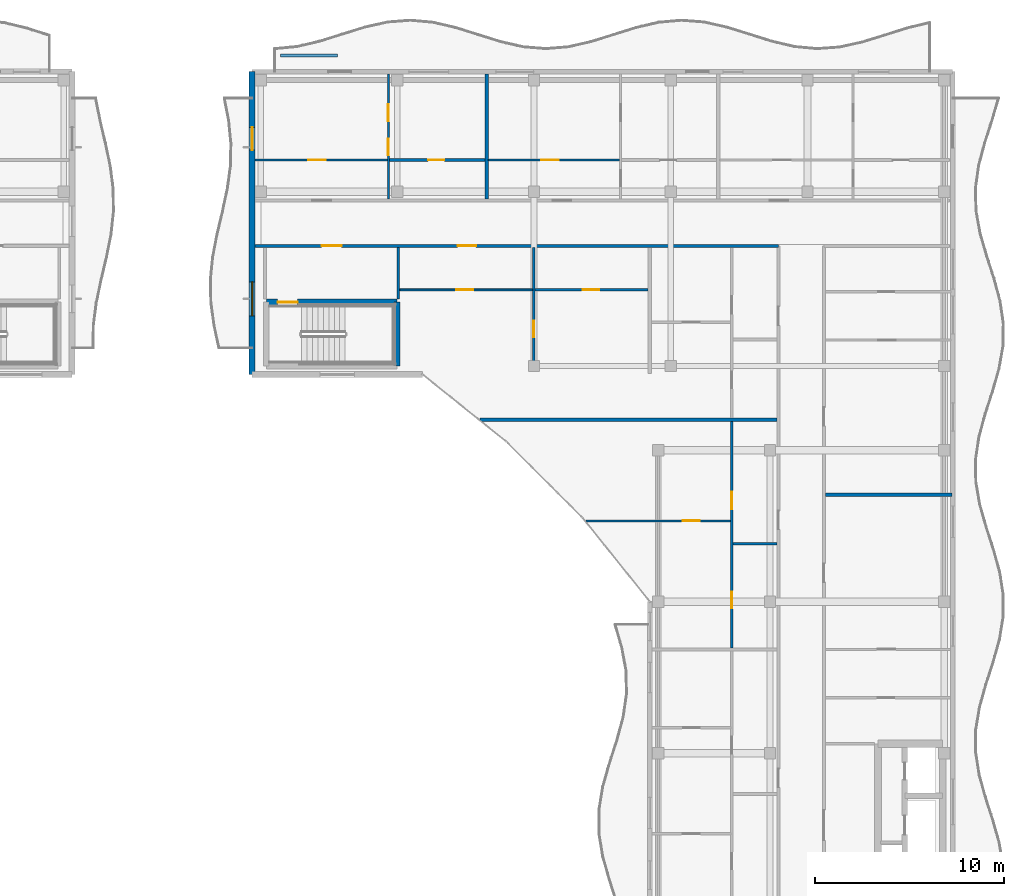
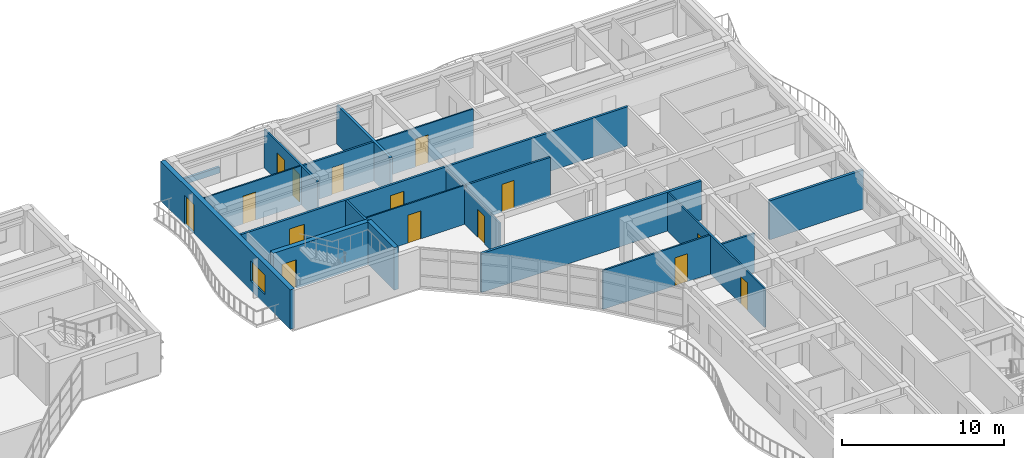
# One storey, part 45 of 76: 19 walls, 15 doors, 1 window, 16 openings.
"""IFC4 building model written with IfcOpenShell, lengths in metres."""

from ifc_helpers import new_model, si_unit, direction, frame, frame_2d, origin, place, context, subcontext, project, spatial, rectangle, extrude, material, layer, layer_set, type_object, element, fill, save


model = new_model("IFC4")

# Units and contexts
model_context = context("Model", 3, precision=1e-05, world=origin(), true_north=direction((0.0, 1.0)))
body_context = subcontext(model_context, "Body", "Model", "MODEL_VIEW")
ifc_project = project(units=[si_unit("LENGTHUNIT", "METRE"), si_unit("AREAUNIT", "SQUARE_METRE"), si_unit("VOLUMEUNIT", "CUBIC_METRE"), si_unit("PLANEANGLEUNIT", "RADIAN"), si_unit("MASSUNIT", "GRAM", prefix="KILO")], contexts=[model_context])

# Site, building, storey
site_placement = place(None, origin())
site = spatial("IfcSite", under=ifc_project, at=site_placement, CompositionType="ELEMENT")
building_placement = place(site_placement, origin())
building = spatial("IfcBuilding", under=site, at=building_placement, Name="Keldmere Railside Commons", CompositionType="ELEMENT")
storey_placement = place(building_placement, frame((0.0, 0.0, 13.760009765625)))
storey = spatial("IfcBuildingStorey", under=building, at=storey_placement, Name="L04", CompositionType="ELEMENT", Elevation=13.760009765625)

# Walls
ifc_material_1 = material(Name="Acoustic Gypsum Board Partition", Category="gypsum")
ifc_layer_1 = layer(ifc_material_1, 0.179931640625, Name="Acoustic Demising Partition 180")
ifc_layer_set_1 = layer_set([ifc_layer_1], Name="Acoustic Gypsum Board Partition")
wall_type_1 = type_object("IfcWallType", Name="Acoustic Demising Partition 180", PredefinedType="PARTITIONING", material=ifc_layer_set_1)
wall_1_placement = place(storey_placement, frame((159.030517578125, 97.6201171875, 0.0), z_axis=(0.0, 0.0, 1.0), x_axis=(1.0, 0.0, 0.0)))
element("IfcWall", 1, at=wall_1_placement, inside=storey, type_object=wall_type_1, Name="IW-1 IW-L04-1559", PredefinedType="PARTITIONING", context=body_context, shape_type="SweptSolid", body=[
    extrude(rectangle(XDim=15.689453125, YDim=0.179931640625, at=frame_2d((7.8447265625, 0.0))), origin(), (0.0, 0.0, 1.0), 2.93505859375),
])
wall_2_placement = place(storey_placement, frame((159.389892578125, 109.280029296875, 0.0), z_axis=(0.0, 0.0, 1.0), x_axis=(0.0, 1.0, 0.0)))
element("IfcWall", 2, at=wall_2_placement, inside=storey, type_object=wall_type_1, Name="IW-1 IW-L04-1574", PredefinedType="PARTITIONING", context=body_context, shape_type="SweptSolid", body=[
    extrude(rectangle(XDim=6.599853515625, YDim=0.179931640625, at=frame_2d((3.2998046875, 0.0))), origin(), (0.0, 0.0, 1.0), 2.93505859375),
])
wall_3_placement = place(storey_placement, frame((177.280029296875, 93.64990234375, 0.0), z_axis=(0.0, 0.0, 1.0), x_axis=(1.0, 0.0, 0.0)))
element("IfcWall", 3, at=wall_3_placement, inside=storey, type_object=wall_type_1, Name="IW-1 IW-L04-1588", PredefinedType="PARTITIONING", context=body_context, shape_type="SweptSolid", body=[
    extrude(rectangle(XDim=6.679931640625, YDim=0.179931640625, at=frame_2d((3.33984375, 0.0))), origin(), (0.0, 0.0, 1.0), 2.93505859375),
])

# Wall, openings, doors
ifc_layer_2 = layer(ifc_material_1, 0.1201171875, Name="Apartment Interior Partition 120")
ifc_layer_set_2 = layer_set([ifc_layer_2], Name="Acoustic Gypsum Board Partition")
wall_type_2 = type_object("IfcWallType", Name="Apartment Interior Partition 120", PredefinedType="PARTITIONING", material=ifc_layer_set_2)
wall_4_placement = place(storey_placement, frame((172.340087890625, 85.570068359375, 0.0), z_axis=(0.0, 0.0, 1.0), x_axis=(0.0, 1.0, 0.0)))
wall_4 = element("IfcWall", 4, at=wall_4_placement, inside=storey, type_object=wall_type_2, Name="IW-4 IW-L04-1568", PredefinedType="PARTITIONING", context=body_context, shape_type="SweptSolid", body=[
    extrude(rectangle(XDim=11.9599609375, YDim=0.1201171875, at=frame_2d((5.97998046875, 0.0))), origin(), (0.0, 0.0, 1.0), 2.93505859375),
])
opening_1_placement = place(wall_4_placement, frame((2.090087890625, 0.0, 0.0)))
opening_1 = element("IfcOpeningElement", 5, at=opening_1_placement, cuts=wall_4, Name="Opening ID-04", PredefinedType="OPENING", context=body_context, shape_type="SweptSolid", body=[
    extrude(rectangle(XDim=0.860107421875, YDim=2.10009765625, at=frame_2d((0.43017578125, 1.050048828125))), frame((0.0, 0.070068359375, 0.0), z_axis=(0.0, -1.0, 0.0), x_axis=(1.0, 0.0, 0.0)), (0.0, 0.0, 1.0), 0.14013671875),
])
opening_2_placement = place(wall_4_placement, frame((7.308837890625, 0.0, 0.0)))
opening_2 = element("IfcOpeningElement", 6, at=opening_2_placement, cuts=wall_4, Name="Opening ID-03", PredefinedType="OPENING", context=body_context, shape_type="SweptSolid", body=[
    extrude(rectangle(XDim=0.919921875, YDim=2.10009765625, at=frame_2d((0.4599609375, 1.050048828125))), frame((0.0, 0.070068359375, 0.0), z_axis=(0.0, -1.0, 0.0), x_axis=(1.0, 0.0, 0.0)), (0.0, 0.0, 1.0), 0.14013671875),
])
ifc_material_2 = material(Name="Engineered Oak Timber", Category="wood")
door_type_1 = type_object("IfcDoorType", Name="Apartment Bathroom Door 860x2100", OperationType="NOTDEFINED", PredefinedType="DOOR", material=ifc_material_2)
door_1_placement = place(opening_1_placement, origin())
door_1 = element("IfcDoor", 7, at=door_1_placement, inside=storey, type_object=door_type_1, Name="ID-04 IDR-L04-1411", OperationType="SINGLE_SWING_LEFT", OverallHeight=2.10009765625, OverallWidth=0.860107421875, PredefinedType="DOOR", context=body_context, shape_type="SweptSolid", body=[
    extrude(rectangle(XDim=0.860107421875, YDim=2.10009765625, at=frame_2d((0.43017578125, 1.050048828125))), frame((0.0, 0.02490234375, 0.0), z_axis=(0.0, -1.0, 0.0), x_axis=(1.0, 0.0, 0.0)), (0.0, 0.0, 1.0), 0.050048828125),
])
fill(opening_1, door_1)
door_type_2 = type_object("IfcDoorType", Name="Kitchen Pocket-Frame Swing Door 920x2100", OperationType="NOTDEFINED", PredefinedType="DOOR", material=ifc_material_2)
door_2_placement = place(opening_2_placement, origin())
door_2 = element("IfcDoor", 8, at=door_2_placement, inside=storey, type_object=door_type_2, Name="ID-03 IDR-L04-1412", OperationType="SINGLE_SWING_RIGHT", OverallHeight=2.10009765625, OverallWidth=0.919921875, PredefinedType="DOOR", context=body_context, shape_type="SweptSolid", body=[
    extrude(rectangle(XDim=0.919921875, YDim=2.10009765625, at=frame_2d((0.4599609375, 1.050048828125))), frame((0.0, 0.02490234375, 0.0), z_axis=(0.0, -1.0, 0.0), x_axis=(1.0, 0.0, 0.0)), (0.0, 0.0, 1.0), 0.050048828125),
])
fill(opening_2, door_2)

# Wall, opening, door
wall_5_placement = place(storey_placement, frame((164.62548828125, 92.27001953125, 0.0), z_axis=(0.0, 0.0, 1.0), x_axis=(1.0, 0.0, 0.0)))
wall_5 = element("IfcWall", 9, at=wall_5_placement, inside=storey, type_object=wall_type_2, Name="IW-4 IW-L04-1570", PredefinedType="PARTITIONING", context=body_context, shape_type="SweptSolid", body=[
    extrude(rectangle(XDim=7.654541015625, YDim=0.1201171875, at=frame_2d((3.8271484375, 0.0))), origin(), (0.0, 0.0, 1.0), 2.93505859375),
])
opening_3_placement = place(wall_5_placement, frame((5.1240234375, 0.0, 0.0)))
opening_3 = element("IfcOpeningElement", 10, at=opening_3_placement, cuts=wall_5, Name="Opening ID-01", PredefinedType="OPENING", context=body_context, shape_type="SweptSolid", body=[
    extrude(rectangle(XDim=0.89990234375, YDim=2.10009765625, at=frame_2d((0.449951171875, 1.050048828125))), frame((0.0, 0.070068359375, 0.0), z_axis=(0.0, -1.0, 0.0), x_axis=(1.0, 0.0, 0.0)), (0.0, 0.0, 1.0), 0.14013671875),
])
door_type_3 = type_object("IfcDoorType", Name="Primary Bedroom Door 900x2100", OperationType="NOTDEFINED", PredefinedType="DOOR", material=ifc_material_2)
door_3_placement = place(opening_3_placement, origin())
door_3 = element("IfcDoor", 11, at=door_3_placement, inside=storey, type_object=door_type_3, Name="ID-01 IDR-L04-1414", OperationType="SINGLE_SWING_RIGHT", OverallHeight=2.10009765625, OverallWidth=0.89990234375, PredefinedType="DOOR", context=body_context, shape_type="SweptSolid", body=[
    extrude(rectangle(XDim=0.89990234375, YDim=2.10009765625, at=frame_2d((0.449951171875, 1.050048828125))), frame((0.0, 0.02490234375, 0.0), z_axis=(0.0, -1.0, 0.0), x_axis=(1.0, 0.0, 0.0)), (0.0, 0.0, 1.0), 0.050048828125),
])
fill(opening_3, door_3)

# Wall, openings, doors
wall_6_placement = place(storey_placement, frame((154.199951171875, 109.280029296875, 0.0), z_axis=(0.0, 0.0, 1.0), x_axis=(0.0, 1.0, 0.0)))
wall_6 = element("IfcWall", 12, at=wall_6_placement, inside=storey, type_object=wall_type_2, Name="IW-4 IW-L04-1576", PredefinedType="PARTITIONING", context=body_context, shape_type="SweptSolid", body=[
    extrude(rectangle(XDim=6.599853515625, YDim=0.1201171875, at=frame_2d((3.2998046875, 0.0))), origin(), (0.0, 0.0, 1.0), 2.93505859375),
])
opening_4_placement = place(wall_6_placement, frame((2.305908203125, 0.0, 0.0)))
opening_4 = element("IfcOpeningElement", 13, at=opening_4_placement, cuts=wall_6, Name="Opening ID-04", PredefinedType="OPENING", context=body_context, shape_type="SweptSolid", body=[
    extrude(rectangle(XDim=0.860107421875, YDim=2.10009765625, at=frame_2d((0.43017578125, 1.050048828125))), frame((0.0, 0.070068359375, 0.0), z_axis=(0.0, -1.0, 0.0), x_axis=(1.0, 0.0, 0.0)), (0.0, 0.0, 1.0), 0.14013671875),
])
opening_5_placement = place(wall_6_placement, frame((4.097412109375, 0.0, 0.0)))
opening_5 = element("IfcOpeningElement", 14, at=opening_5_placement, cuts=wall_6, Name="Opening ID-01", PredefinedType="OPENING", context=body_context, shape_type="SweptSolid", body=[
    extrude(rectangle(XDim=0.89990234375, YDim=2.10009765625, at=frame_2d((0.449951171875, 1.050048828125))), frame((0.0, 0.070068359375, 0.0), z_axis=(0.0, -1.0, 0.0), x_axis=(1.0, 0.0, 0.0)), (0.0, 0.0, 1.0), 0.14013671875),
])
door_4_placement = place(opening_4_placement, origin())
door_4 = element("IfcDoor", 15, at=door_4_placement, inside=storey, type_object=door_type_1, Name="ID-04 IDR-L04-1421", OperationType="SINGLE_SWING_LEFT", OverallHeight=2.10009765625, OverallWidth=0.860107421875, PredefinedType="DOOR", context=body_context, shape_type="SweptSolid", body=[
    extrude(rectangle(XDim=0.860107421875, YDim=2.10009765625, at=frame_2d((0.43017578125, 1.050048828125))), frame((0.0, 0.02490234375, 0.0), z_axis=(0.0, -1.0, 0.0), x_axis=(1.0, 0.0, 0.0)), (0.0, 0.0, 1.0), 0.050048828125),
])
fill(opening_4, door_4)
door_5_placement = place(opening_5_placement, origin())
door_5 = element("IfcDoor", 16, at=door_5_placement, inside=storey, type_object=door_type_3, Name="ID-01 IDR-L04-1422", OperationType="SINGLE_SWING_RIGHT", OverallHeight=2.10009765625, OverallWidth=0.89990234375, PredefinedType="DOOR", context=body_context, shape_type="SweptSolid", body=[
    extrude(rectangle(XDim=0.89990234375, YDim=2.10009765625, at=frame_2d((0.449951171875, 1.050048828125))), frame((0.0, 0.02490234375, 0.0), z_axis=(0.0, -1.0, 0.0), x_axis=(1.0, 0.0, 0.0)), (0.0, 0.0, 1.0), 0.050048828125),
])
fill(opening_5, door_5)

# Wall, opening, door
wall_7_placement = place(storey_placement, frame((161.8798828125, 100.159912109375, 0.0), z_axis=(0.0, 0.0, 1.0), x_axis=(0.0, 1.0, 0.0)))
wall_7 = element("IfcWall", 17, at=wall_7_placement, inside=storey, type_object=wall_type_2, Name="IW-4 IW-L04-1585", PredefinedType="PARTITIONING", context=body_context, shape_type="SweptSolid", body=[
    extrude(rectangle(XDim=6.56005859375, YDim=0.1201171875, at=frame_2d((3.280029296875, 0.0))), origin(), (0.0, 0.0, 1.0), 2.679931640625),
])
opening_6_placement = place(wall_7_placement, frame((1.810302734375, 0.0, 0.0)))
opening_6 = element("IfcOpeningElement", 18, at=opening_6_placement, cuts=wall_7, Name="Opening ID-02", PredefinedType="OPENING", context=body_context, shape_type="SweptSolid", body=[
    extrude(rectangle(XDim=0.8798828125, YDim=2.10009765625, at=frame_2d((0.43994140625, 1.050048828125))), frame((0.0, 0.070068359375, 0.0), z_axis=(0.0, -1.0, 0.0), x_axis=(1.0, 0.0, 0.0)), (0.0, 0.0, 1.0), 0.14013671875),
])
door_type_4 = type_object("IfcDoorType", Name="Secondary Bedroom Door 880x2100", OperationType="NOTDEFINED", PredefinedType="DOOR", material=ifc_material_2)
door_6_placement = place(opening_6_placement, origin())
door_6 = element("IfcDoor", 19, at=door_6_placement, inside=storey, type_object=door_type_4, Name="ID-02 IDR-L04-1436", OperationType="SINGLE_SWING_RIGHT", OverallHeight=2.10009765625, OverallWidth=0.8798828125, PredefinedType="DOOR", context=body_context, shape_type="SweptSolid", body=[
    extrude(rectangle(XDim=0.8798828125, YDim=2.10009765625, at=frame_2d((0.43994140625, 1.050048828125))), frame((0.0, 0.02490234375, 0.0), z_axis=(0.0, -1.0, 0.0), x_axis=(1.0, 0.0, 0.0)), (0.0, 0.0, 1.0), 0.050048828125),
])
fill(opening_6, door_6)

# Wall
ifc_material_3 = material(Name="White Precast Concrete H-35 (C35/45)", Category="concrete")
ifc_layer_3 = layer(ifc_material_3, 0.169921875, Name="Balcony Planter Kerb Wall 170")
ifc_layer_set_3 = layer_set([ifc_layer_3], Name="White Precast Concrete H-35 (C35/45)")
wall_type_3 = type_object("IfcWallType", Name="Balcony Planter Kerb Wall 170", PredefinedType="PARAPET", material=ifc_layer_set_3)
wall_8_placement = place(storey_placement, frame((148.5, 116.85009765625, 0.0), z_axis=(0.0, 0.0, 1.0), x_axis=(1.0, 0.0, 0.0)))
element("IfcWall", 20, at=wall_8_placement, inside=storey, type_object=wall_type_3, Name="PW-2 PKBA-L04-0909", PredefinedType="PARAPET", context=body_context, shape_type="SweptSolid", body=[
    extrude(rectangle(XDim=3.0, YDim=0.169921875, at=frame_2d((1.5, 0.0))), origin(), (0.0, 0.0, 1.0), 0.449951171875),
])

# Wall, opening, door
ifc_layer_4 = layer(ifc_material_1, 0.10009765625, Name="Closet Light Partition 100")
ifc_layer_set_4 = layer_set([ifc_layer_4], Name="Acoustic Gypsum Board Partition")
wall_type_4 = type_object("IfcWallType", Name="Closet Light Partition 100", PredefinedType="PARTITIONING", material=ifc_layer_set_4)
wall_9_placement = place(storey_placement, frame((147.159912109375, 111.330078125, 0.0), z_axis=(0.0, 0.0, 1.0), x_axis=(1.0, 0.0, 0.0)))
wall_9 = element("IfcWall", 21, at=wall_9_placement, inside=storey, type_object=wall_type_4, Name="IW-6 IW-L04-1578", PredefinedType="PARTITIONING", context=body_context, shape_type="SweptSolid", body=[
    extrude(rectangle(XDim=6.97998046875, YDim=0.10009765625, at=frame_2d((3.489990234375, 0.0))), origin(), (0.0, 0.0, 1.0), 2.93505859375),
])
opening_7_placement = place(wall_9_placement, frame((2.81591796875, 0.0, 0.0)))
opening_7 = element("IfcOpeningElement", 22, at=opening_7_placement, cuts=wall_9, Name="Opening ID-03", PredefinedType="OPENING", context=body_context, shape_type="SweptSolid", body=[
    extrude(rectangle(XDim=0.919921875, YDim=2.10009765625, at=frame_2d((0.4599609375, 1.050048828125))), frame((0.0, 0.06005859375, 0.0), z_axis=(0.0, -1.0, 0.0), x_axis=(1.0, 0.0, 0.0)), (0.0, 0.0, 1.0), 0.1201171875),
])
door_7_placement = place(opening_7_placement, origin())
door_7 = element("IfcDoor", 23, at=door_7_placement, inside=storey, type_object=door_type_2, Name="ID-03 IDR-L04-1420", OperationType="SINGLE_SWING_RIGHT", OverallHeight=2.10009765625, OverallWidth=0.919921875, PredefinedType="DOOR", context=body_context, shape_type="SweptSolid", body=[
    extrude(rectangle(XDim=0.919921875, YDim=2.10009765625, at=frame_2d((0.4599609375, 1.050048828125))), frame((0.0, 0.02490234375, 0.0), z_axis=(0.0, -1.0, 0.0), x_axis=(1.0, 0.0, 0.0)), (0.0, 0.0, 1.0), 0.050048828125),
])
fill(opening_7, door_7)

wall_10_placement = place(storey_placement, frame((159.47998046875, 111.330078125, 0.0), z_axis=(0.0, 0.0, 1.0), x_axis=(1.0, 0.0, 0.0)))
wall_10 = element("IfcWall", 24, at=wall_10_placement, inside=storey, type_object=wall_type_4, Name="IW-6 IW-L04-1581", PredefinedType="PARTITIONING", context=body_context, shape_type="SweptSolid", body=[
    extrude(rectangle(XDim=6.919921875, YDim=0.10009765625, at=frame_2d((3.4599609375, 0.0))), origin(), (0.0, 0.0, 1.0), 2.93505859375),
])
opening_8_placement = place(wall_10_placement, frame((2.7919921875, 0.0, 0.0)))
opening_8 = element("IfcOpeningElement", 25, at=opening_8_placement, cuts=wall_10, Name="Opening ID-03", PredefinedType="OPENING", context=body_context, shape_type="SweptSolid", body=[
    extrude(rectangle(XDim=0.919921875, YDim=2.10009765625, at=frame_2d((0.4599609375, 1.050048828125))), frame((0.0, 0.06005859375, 0.0), z_axis=(0.0, -1.0, 0.0), x_axis=(1.0, 0.0, 0.0)), (0.0, 0.0, 1.0), 0.1201171875),
])
door_8_placement = place(opening_8_placement, origin())
door_8 = element("IfcDoor", 26, at=door_8_placement, inside=storey, type_object=door_type_2, Name="ID-03 IDR-L04-1425", OperationType="SINGLE_SWING_LEFT", OverallHeight=2.10009765625, OverallWidth=0.919921875, PredefinedType="DOOR", context=body_context, shape_type="SweptSolid", body=[
    extrude(rectangle(XDim=0.919921875, YDim=2.10009765625, at=frame_2d((0.4599609375, 1.050048828125))), frame((0.0, 0.02490234375, 0.0), z_axis=(0.0, -1.0, 0.0), x_axis=(1.0, 0.0, 0.0)), (0.0, 0.0, 1.0), 0.050048828125),
])
fill(opening_8, door_8)

wall_11_placement = place(storey_placement, frame((154.800048828125, 104.469970703125, 0.0), z_axis=(0.0, 0.0, 1.0), x_axis=(1.0, 0.0, 0.0)))
wall_11 = element("IfcWall", 27, at=wall_11_placement, inside=storey, type_object=wall_type_4, Name="IW-6 IW-L04-1587", PredefinedType="PARTITIONING", context=body_context, shape_type="SweptSolid", body=[
    extrude(rectangle(XDim=7.02001953125, YDim=0.10009765625, at=frame_2d((3.510009765625, 0.0))), origin(), (0.0, 0.0, 1.0), 2.93505859375),
])
opening_9_placement = place(wall_11_placement, frame((2.9736328125, 0.0, 0.0)))
opening_9 = element("IfcOpeningElement", 28, at=opening_9_placement, cuts=wall_11, Name="Opening ID-03", PredefinedType="OPENING", context=body_context, shape_type="SweptSolid", body=[
    extrude(rectangle(XDim=0.919921875, YDim=2.10009765625, at=frame_2d((0.4599609375, 1.050048828125))), frame((0.0, 0.06005859375, 0.0), z_axis=(0.0, -1.0, 0.0), x_axis=(1.0, 0.0, 0.0)), (0.0, 0.0, 1.0), 0.1201171875),
])
door_9_placement = place(opening_9_placement, origin())
door_9 = element("IfcDoor", 29, at=door_9_placement, inside=storey, type_object=door_type_2, Name="ID-03 IDR-L04-1435", OperationType="SINGLE_SWING_LEFT", OverallHeight=2.10009765625, OverallWidth=0.919921875, PredefinedType="DOOR", context=body_context, shape_type="SweptSolid", body=[
    extrude(rectangle(XDim=0.919921875, YDim=2.10009765625, at=frame_2d((0.4599609375, 1.050048828125))), frame((0.0, 0.02490234375, 0.0), z_axis=(0.0, -1.0, 0.0), x_axis=(1.0, 0.0, 0.0)), (0.0, 0.0, 1.0), 0.050048828125),
])
fill(opening_9, door_9)

# Wall, openings, doors
ifc_layer_5 = layer(ifc_material_1, 0.159912109375, Name="Corridor Fire Partition 160")
ifc_layer_set_5 = layer_set([ifc_layer_5], Name="Acoustic Gypsum Board Partition")
wall_type_5 = type_object("IfcWallType", Name="Corridor Fire Partition 160", PredefinedType="PARTITIONING", material=ifc_layer_set_5)
wall_12_placement = place(storey_placement, frame((147.159912109375, 106.800048828125, 0.0), z_axis=(0.0, 0.0, 1.0), x_axis=(1.0, 0.0, 0.0)))
wall_12 = element("IfcWall", 30, at=wall_12_placement, inside=storey, type_object=wall_type_5, Name="IW-2 IW-L04-1551", PredefinedType="PARTITIONING", context=body_context, shape_type="SweptSolid", body=[
    extrude(rectangle(XDim=27.64013671875, YDim=0.159912109375, at=frame_2d((13.820068359375, 0.0))), origin(), (0.0, 0.0, 1.0), 2.93505859375),
])
opening_10_placement = place(wall_12_placement, frame((3.514892578125, 0.0, 0.0)))
opening_10 = element("IfcOpeningElement", 31, at=opening_10_placement, cuts=wall_12, Name="Opening FD-1", PredefinedType="OPENING", context=body_context, shape_type="SweptSolid", body=[
    extrude(rectangle(XDim=1.050048828125, YDim=2.14990234375, at=frame_2d((0.52490234375, 1.074951171875))), frame((0.0, 0.08984375, 0.0), z_axis=(0.0, -1.0, 0.0), x_axis=(1.0, 0.0, 0.0)), (0.0, 0.0, 1.0), 0.179931640625),
])
opening_11_placement = place(wall_12_placement, frame((10.68994140625, 0.0, 0.0)))
opening_11 = element("IfcOpeningElement", 32, at=opening_11_placement, cuts=wall_12, Name="Opening FD-7", PredefinedType="OPENING", context=body_context, shape_type="SweptSolid", body=[
    extrude(rectangle(XDim=0.97998046875, YDim=2.14990234375, at=frame_2d((0.489990234375, 1.074951171875))), frame((0.0, 0.08984375, 0.0), z_axis=(0.0, -1.0, 0.0), x_axis=(1.0, 0.0, 0.0)), (0.0, 0.0, 1.0), 0.179931640625),
])
door_type_5 = type_object("IfcDoorType", Name="Apartment Entrance Acoustic Fire Door 980x2150", OperationType="NOTDEFINED", PredefinedType="DOOR", material=ifc_material_2)
door_10_placement = place(opening_11_placement, origin())
door_10 = element("IfcDoor", 33, at=door_10_placement, inside=storey, type_object=door_type_5, Name="FD-7 IDR-L04-1434", OperationType="SINGLE_SWING_RIGHT", OverallHeight=2.14990234375, OverallWidth=0.97998046875, PredefinedType="DOOR", context=body_context, shape_type="SweptSolid", body=[
    extrude(rectangle(XDim=0.97998046875, YDim=2.14990234375, at=frame_2d((0.489990234375, 1.074951171875))), frame((0.0, 0.02490234375, 0.0), z_axis=(0.0, -1.0, 0.0), x_axis=(1.0, 0.0, 0.0)), (0.0, 0.0, 1.0), 0.050048828125),
])
fill(opening_11, door_10)
ifc_material_4 = material(Name="Steel F-24 (S235)", Category="steel")
door_type_6 = type_object("IfcDoorType", Name="Stair Core Fire Door 1050x2150", OperationType="NOTDEFINED", PredefinedType="DOOR", material=ifc_material_4)
door_11_placement = place(opening_10_placement, origin())
door_11 = element("IfcDoor", 34, at=door_11_placement, inside=storey, type_object=door_type_6, Name="FD-1 IDR-L04-1398", OperationType="SINGLE_SWING_RIGHT", OverallHeight=2.14990234375, OverallWidth=1.050048828125, PredefinedType="DOOR", context=body_context, shape_type="SweptSolid", body=[
    extrude(rectangle(XDim=1.050048828125, YDim=2.14990234375, at=frame_2d((0.52490234375, 1.074951171875))), frame((0.0, 0.02490234375, 0.0), z_axis=(0.0, -1.0, 0.0), x_axis=(1.0, 0.0, 0.0)), (0.0, 0.0, 1.0), 0.050048828125),
])
fill(opening_10, door_11)

# Wall, openings, door, window
ifc_material_5 = material(Name="Concrete H-35 (C35/45)", Category="concrete")
ifc_layer_6 = layer(ifc_material_5, 0.320068359375, Name="Exterior Shear Wall 320")
ifc_layer_set_6 = layer_set([ifc_layer_6], Name="Concrete H-35 (C35/45)")
wall_type_6 = type_object("IfcWallType", Name="Exterior Shear Wall 320", PredefinedType="SHEAR", material=ifc_layer_set_6)
wall_13_placement = place(storey_placement, frame((147.0, 100.0, 0.0), z_axis=(0.0, 0.0, 1.0), x_axis=(0.0, 1.0, 0.0)))
wall_13 = element("IfcWall", 35, at=wall_13_placement, inside=storey, type_object=wall_type_6, Name="ESW-2 EXTA-L04-0906", PredefinedType="SHEAR", context=body_context, shape_type="SweptSolid", body=[
    extrude(rectangle(XDim=16.0, YDim=0.320068359375, at=frame_2d((8.0, 0.0))), origin(), (0.0, 0.0, 1.0), 2.97998046875),
])
opening_12_placement = place(wall_13_placement, frame((3.10009765625, 0.0, 0.719970703125)))
opening_12 = element("IfcOpeningElement", 36, at=opening_12_placement, cuts=wall_13, Name="Opening WN-01", PredefinedType="OPENING", context=body_context, shape_type="SweptSolid", body=[
    extrude(rectangle(XDim=1.800048828125, YDim=1.5, at=frame_2d((0.89990234375, 0.75))), frame((0.0, 0.169921875, 0.0), z_axis=(0.0, -1.0, 0.0), x_axis=(1.0, 0.0, 0.0)), (0.0, 0.0, 1.0), 0.340087890625),
])
opening_13_placement = place(wall_13_placement, frame((11.85009765625, 0.0, 0.0)))
opening_13 = element("IfcOpeningElement", 37, at=opening_13_placement, cuts=wall_13, Name="Opening BD-01", PredefinedType="OPENING", context=body_context, shape_type="SweptSolid", body=[
    extrude(rectangle(XDim=1.199951171875, YDim=2.199951171875, at=frame_2d((0.60009765625, 1.10009765625))), frame((0.0, 0.169921875, 0.0), z_axis=(0.0, -1.0, 0.0), x_axis=(1.0, 0.0, 0.0)), (0.0, 0.0, 1.0), 0.340087890625),
])
ifc_material_6 = material(Name="Thermally Broken Aluminium", Category="aluminium")
door_type_7 = type_object("IfcDoorType", Name="Apartment Living Wave-Balcony Glazed Door 1200x2200", OperationType="NOTDEFINED", PredefinedType="DOOR", material=ifc_material_6)
door_12_placement = place(opening_13_placement, origin())
door_12 = element("IfcDoor", 38, at=door_12_placement, inside=storey, type_object=door_type_7, Name="BD-01 DR-L04-0242", OperationType="SINGLE_SWING_RIGHT", OverallHeight=2.199951171875, OverallWidth=1.199951171875, PredefinedType="DOOR", context=body_context, shape_type="SweptSolid", body=[
    extrude(rectangle(XDim=1.199951171875, YDim=2.199951171875, at=frame_2d((0.60009765625, 1.10009765625))), frame((0.0, 0.02490234375, 0.0), z_axis=(0.0, -1.0, 0.0), x_axis=(1.0, 0.0, 0.0)), (0.0, 0.0, 1.0), 0.050048828125),
])
fill(opening_13, door_12)
ifc_material_7 = material(Name="Low-E Insulated Double Glazing", Category="glass")
window_type = type_object("IfcWindowType", Name="Living Room North Casement Window 1800x1500", PartitioningType="SINGLE_PANEL", PredefinedType="WINDOW", material=ifc_material_7)
window_placement = place(opening_12_placement, origin())
window = element("IfcWindow", 39, at=window_placement, inside=storey, type_object=window_type, Name="WN-01 WIN-L04-0656", OverallHeight=1.5, OverallWidth=1.800048828125, PartitioningType="SINGLE_PANEL", PredefinedType="WINDOW", context=body_context, shape_type="SweptSolid", body=[
    extrude(rectangle(XDim=1.800048828125, YDim=1.5, at=frame_2d((0.89990234375, 0.75))), frame((0.0, 0.030029296875, 0.0), z_axis=(0.0, -1.0, 0.0), x_axis=(1.0, 0.0, 0.0)), (0.0, 0.0, 1.0), 0.06005859375),
])
fill(opening_12, window)

# Wall
ifc_layer_7 = layer(ifc_material_5, 0.300048828125, Name="Interior Shear Wall 300")
ifc_layer_set_7 = layer_set([ifc_layer_7], Name="Concrete H-35 (C35/45)")
wall_type_7 = type_object("IfcWallType", Name="Interior Shear Wall 300", PredefinedType="SHEAR", material=ifc_layer_set_7)
wall_14_placement = place(storey_placement, frame((154.64990234375, 100.449951171875, 0.0), z_axis=(0.0, 0.0, 1.0), x_axis=(0.0, 1.0, 0.0)))
element("IfcWall", 40, at=wall_14_placement, inside=storey, type_object=wall_type_7, Name="ISW-2 COREA2E-L04-0767", PredefinedType="SHEAR", context=body_context, shape_type="SweptSolid", body=[
    extrude(rectangle(XDim=3.3701171875, YDim=0.300048828125, at=frame_2d((1.68505859375, 0.0))), origin(), (0.0, 0.0, 1.0), 3.199951171875),
])

# Wall, opening, door
ifc_layer_8 = layer(ifc_material_5, 0.340087890625, Name="Interior Shear Wall 340")
ifc_layer_set_8 = layer_set([ifc_layer_8], Name="Concrete H-35 (C35/45)")
wall_type_8 = type_object("IfcWallType", Name="Interior Shear Wall 340", PredefinedType="SHEAR", material=ifc_layer_set_8)
wall_15_placement = place(storey_placement, frame((154.64990234375, 103.820068359375, 0.0), z_axis=(0.0, 0.0, 1.0), x_axis=(-1.0, 0.0, 0.0)))
wall_15 = element("IfcWall", 41, at=wall_15_placement, inside=storey, type_object=wall_type_8, Name="ISW-1 COREA2N-L04-0765", PredefinedType="SHEAR", context=body_context, shape_type="SweptSolid", body=[
    extrude(rectangle(XDim=6.89990234375, YDim=0.340087890625, at=frame_2d((3.449951171875, 0.0))), origin(), (0.0, 0.0, 1.0), 3.199951171875),
])
opening_14_placement = place(wall_15_placement, frame((5.25, 0.0, 0.0)))
opening_14 = element("IfcOpeningElement", 42, at=opening_14_placement, cuts=wall_15, Name="Opening FD-1", PredefinedType="OPENING", context=body_context, shape_type="SweptSolid", body=[
    extrude(rectangle(XDim=1.050048828125, YDim=2.14990234375, at=frame_2d((0.52490234375, 1.074951171875))), frame((0.0, 0.179931640625, 0.0), z_axis=(0.0, -1.0, 0.0), x_axis=(1.0, 0.0, 0.0)), (0.0, 0.0, 1.0), 0.360107421875),
])
door_13_placement = place(opening_14_placement, origin())
door_13 = element("IfcDoor", 43, at=door_13_placement, inside=storey, type_object=door_type_6, Name="FD-1 A2 L04", OperationType="SINGLE_SWING_RIGHT", OverallHeight=2.14990234375, OverallWidth=1.050048828125, PredefinedType="DOOR", context=body_context, shape_type="SweptSolid", body=[
    extrude(rectangle(XDim=1.050048828125, YDim=2.14990234375, at=frame_2d((0.52490234375, 1.074951171875))), frame((0.0, 0.02490234375, 0.0), z_axis=(0.0, -1.0, 0.0), x_axis=(1.0, 0.0, 0.0)), (0.0, 0.0, 1.0), 0.050048828125),
])
fill(opening_14, door_13)

# Walls
ifc_layer_9 = layer(ifc_material_1, 0.14990234375, Name="Lobby Rated Partition 150")
ifc_layer_set_9 = layer_set([ifc_layer_9], Name="Acoustic Gypsum Board Partition")
wall_type_9 = type_object("IfcWallType", Name="Lobby Rated Partition 150", PredefinedType="PARTITIONING", material=ifc_layer_set_9)
wall_16_placement = place(storey_placement, frame((154.719970703125, 103.989990234375, 0.0), z_axis=(0.0, 0.0, 1.0), x_axis=(0.0, 1.0, 0.0)))
element("IfcWall", 44, at=wall_16_placement, inside=storey, type_object=wall_type_9, Name="IW-3 IW-L04-1556", PredefinedType="PARTITIONING", context=body_context, shape_type="SweptSolid", body=[
    extrude(rectangle(XDim=2.72998046875, YDim=0.14990234375, at=frame_2d((1.364990234375, 0.0))), origin(), (0.0, 0.0, 1.0), 2.93505859375),
])
ifc_layer_10 = layer(ifc_material_1, 0.139892578125, Name="Wet-Room Sanitary Partition 140")
ifc_layer_set_10 = layer_set([ifc_layer_10], Name="Acoustic Gypsum Board Partition")
wall_type_10 = type_object("IfcWallType", Name="Wet-Room Sanitary Partition 140", PredefinedType="PARTITIONING", material=ifc_layer_set_10)
wall_17_placement = place(storey_placement, frame((172.39990234375, 91.070068359375, 0.0), z_axis=(0.0, 0.0, 1.0), x_axis=(1.0, 0.0, 0.0)))
element("IfcWall", 45, at=wall_17_placement, inside=storey, type_object=wall_type_10, Name="IW-5 IW-L04-1569", PredefinedType="PARTITIONING", context=body_context, shape_type="SweptSolid", body=[
    extrude(rectangle(XDim=2.320068359375, YDim=0.139892578125, at=frame_2d((1.16015625, 0.0))), origin(), (0.0, 0.0, 1.0), 2.93505859375),
])

# Wall, opening, door
wall_18_placement = place(storey_placement, frame((154.260009765625, 111.330078125, 0.0), z_axis=(0.0, 0.0, 1.0), x_axis=(1.0, 0.0, 0.0)))
wall_18 = element("IfcWall", 46, at=wall_18_placement, inside=storey, type_object=wall_type_10, Name="IW-5 IW-L04-1577", PredefinedType="PARTITIONING", context=body_context, shape_type="SweptSolid", body=[
    extrude(rectangle(XDim=5.0400390625, YDim=0.139892578125, at=frame_2d((2.52001953125, 0.0))), origin(), (0.0, 0.0, 1.0), 2.93505859375),
])
opening_15_placement = place(wall_18_placement, frame((2.0400390625, 0.0, 0.0)))
opening_15 = element("IfcOpeningElement", 47, at=opening_15_placement, cuts=wall_18, Name="Opening ID-06", PredefinedType="OPENING", context=body_context, shape_type="SweptSolid", body=[
    extrude(rectangle(XDim=0.85009765625, YDim=2.050048828125, at=frame_2d((0.425048828125, 1.02490234375))), frame((0.0, 0.079833984375, 0.0), z_axis=(0.0, -1.0, 0.0), x_axis=(1.0, 0.0, 0.0)), (0.0, 0.0, 1.0), 0.159912109375),
])
door_type_8 = type_object("IfcDoorType", Name="Storage Closet Door 850x2050", OperationType="NOTDEFINED", PredefinedType="DOOR", material=ifc_material_2)
door_14_placement = place(opening_15_placement, origin())
door_14 = element("IfcDoor", 48, at=door_14_placement, inside=storey, type_object=door_type_8, Name="ID-06 IDR-L04-1423", OperationType="SINGLE_SWING_LEFT", OverallHeight=2.050048828125, OverallWidth=0.85009765625, PredefinedType="DOOR", context=body_context, shape_type="SweptSolid", body=[
    extrude(rectangle(XDim=0.85009765625, YDim=2.050048828125, at=frame_2d((0.425048828125, 1.02490234375))), frame((0.0, 0.02490234375, 0.0), z_axis=(0.0, -1.0, 0.0), x_axis=(1.0, 0.0, 0.0)), (0.0, 0.0, 1.0), 0.050048828125),
])
fill(opening_15, door_14)

wall_19_placement = place(storey_placement, frame((161.93994140625, 104.469970703125, 0.0), z_axis=(0.0, 0.0, 1.0), x_axis=(1.0, 0.0, 0.0)))
wall_19 = element("IfcWall", 49, at=wall_19_placement, inside=storey, type_object=wall_type_10, Name="IW-5 IW-L04-1586", PredefinedType="PARTITIONING", context=body_context, shape_type="SweptSolid", body=[
    extrude(rectangle(XDim=5.969970703125, YDim=0.139892578125, at=frame_2d((2.98486328125, 0.0))), origin(), (0.0, 0.0, 1.0), 2.93505859375),
])
opening_16_placement = place(wall_19_placement, frame((2.53271484375, 0.0, 0.0)))
opening_16 = element("IfcOpeningElement", 50, at=opening_16_placement, cuts=wall_19, Name="Opening ID-04", PredefinedType="OPENING", context=body_context, shape_type="SweptSolid", body=[
    extrude(rectangle(XDim=0.860107421875, YDim=2.10009765625, at=frame_2d((0.43017578125, 1.050048828125))), frame((0.0, 0.079833984375, 0.0), z_axis=(0.0, -1.0, 0.0), x_axis=(1.0, 0.0, 0.0)), (0.0, 0.0, 1.0), 0.159912109375),
])
door_15_placement = place(opening_16_placement, origin())
door_15 = element("IfcDoor", 51, at=door_15_placement, inside=storey, type_object=door_type_1, Name="ID-04 IDR-L04-1437", OperationType="SINGLE_SWING_LEFT", OverallHeight=2.10009765625, OverallWidth=0.860107421875, PredefinedType="DOOR", context=body_context, shape_type="SweptSolid", body=[
    extrude(rectangle(XDim=0.860107421875, YDim=2.10009765625, at=frame_2d((0.43017578125, 1.050048828125))), frame((0.0, 0.02490234375, 0.0), z_axis=(0.0, -1.0, 0.0), x_axis=(1.0, 0.0, 0.0)), (0.0, 0.0, 1.0), 0.050048828125),
])
fill(opening_16, door_15)

save(model, "model.ifc")
